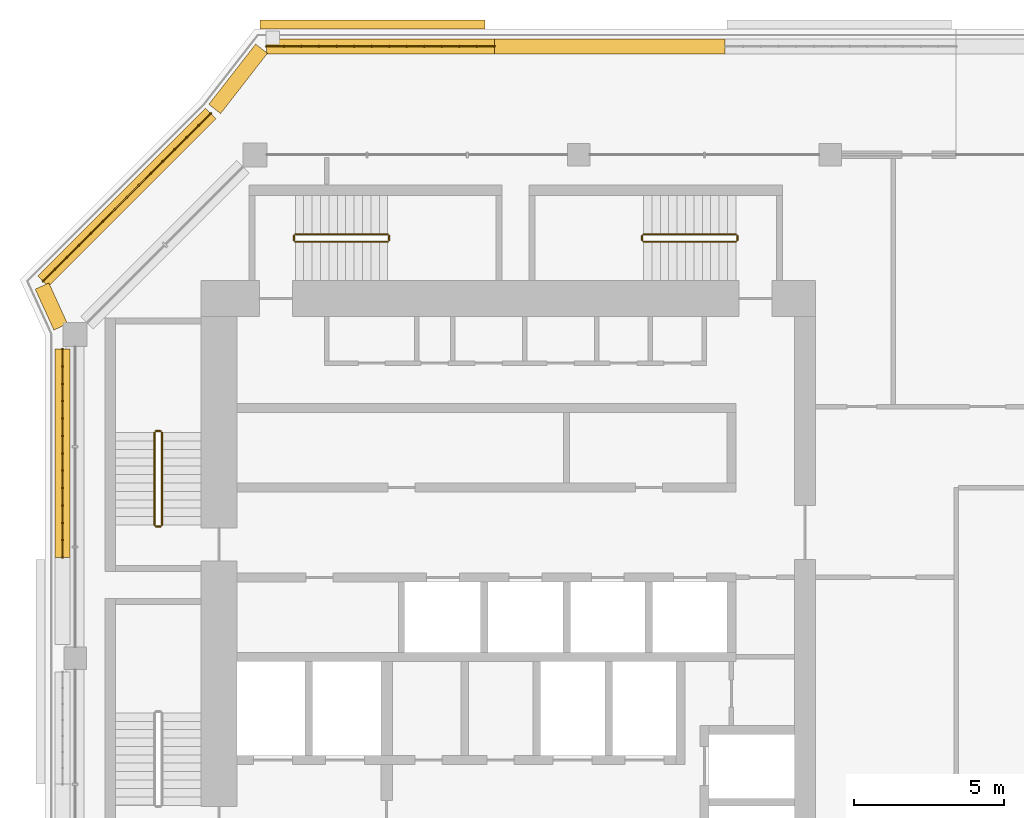
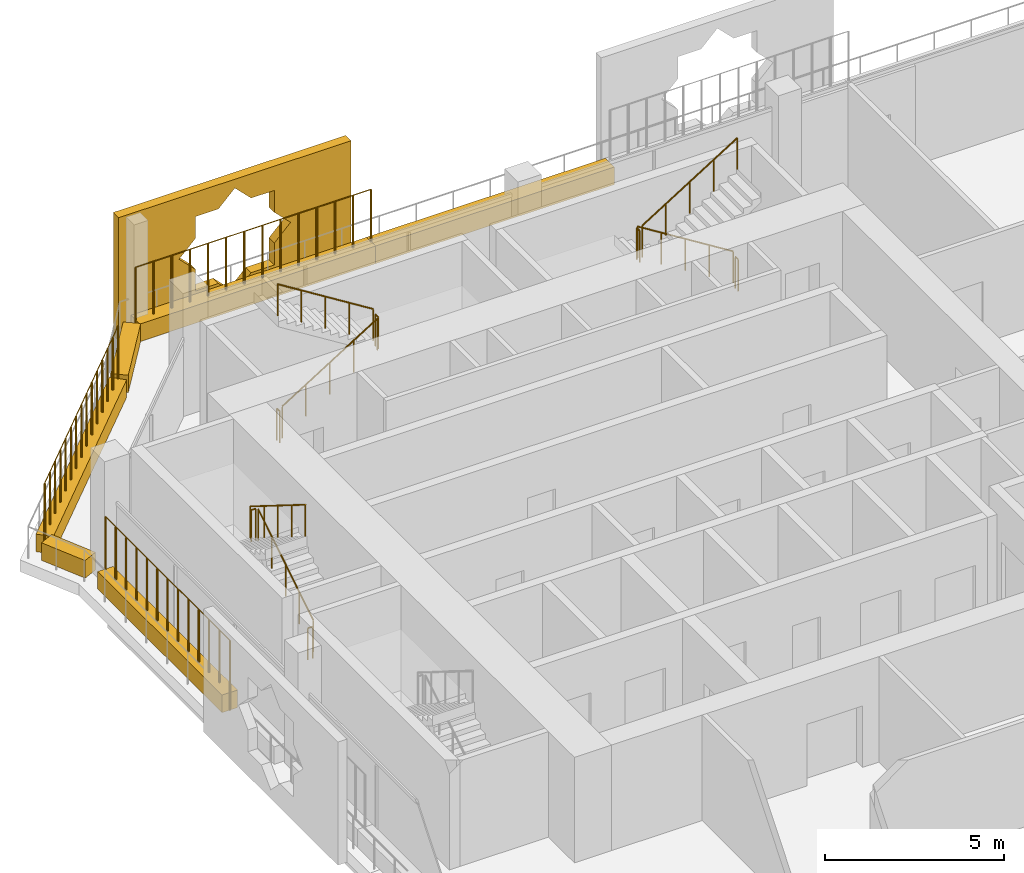
# One storey, part 19 of 21: 15 railings, 7 coverings.
"""IFC4 building model written with IfcOpenShell, lengths in metres."""

from ifc_helpers import new_model, si_unit, direction, frame, origin, origin_2d, place, context, subcontext, project, spatial, polyline, rectangle, circle, outline, extrude, material, material_profile, profile_set, type_object, element, save


model = new_model("IFC4")

# Units and contexts
model_context = context("Model", 3, precision=1e-05, world=origin(), true_north=direction((0.0, 1.0)))
body_context = subcontext(model_context, "Body", "Model", "MODEL_VIEW")
ifc_project = project(units=[si_unit("LENGTHUNIT", "METRE"), si_unit("AREAUNIT", "SQUARE_METRE"), si_unit("VOLUMEUNIT", "CUBIC_METRE"), si_unit("PLANEANGLEUNIT", "RADIAN"), si_unit("MASSUNIT", "GRAM", prefix="KILO")], contexts=[model_context])

# Site, building, storey
site_placement = place(None, origin())
site = spatial("IfcSite", under=ifc_project, at=site_placement, CompositionType="ELEMENT")
building_placement = place(site_placement, origin())
building = spatial("IfcBuilding", under=site, at=building_placement, Name="Kawkab Arch Medical Tower", CompositionType="ELEMENT")
storey_placement = place(building_placement, frame((0.0, 0.0, 323.800048828125)))
storey = spatial("IfcBuildingStorey", under=building, at=storey_placement, Name="L75", CompositionType="ELEMENT", Elevation=323.800048828125)

# Coverings
ifc_material_1 = material(Name="Bronze anodised aluminium mashrabiya panel, eight-point star pattern", Category="aluminium")
ifc_material_profile_1 = material_profile(ifc_material_1, outline(polyline([(-3.75, -2.10009765625), (3.75, -2.10009765625), (3.75, 2.10009765625), (-3.75, 2.10009765625), (-3.75, -2.10009765625)]), holes=[polyline([(1.800048828125, 0.0), (1.272705078125, 0.527099609375), (1.272705078125, 1.272705078125), (0.527099609375, 1.272705078125), (0.0, 1.800048828125), (-0.527099609375, 1.272705078125), (-1.272705078125, 1.272705078125), (-1.272705078125, 0.527099609375), (-1.800048828125, 0.0), (-1.272705078125, -0.527099609375), (-1.272705078125, -1.272705078125), (-0.527099609375, -1.272705078125), (0.0, -1.800048828125), (0.527099609375, -1.272705078125), (1.272705078125, -1.272705078125), (1.272705078125, -0.527099609375), (1.800048828125, 0.0)])]), Name="Mashrabiya panel 7500x4200")
ifc_profile_set_1 = profile_set([ifc_material_profile_1], Name="Bronze anodised aluminium mashrabiya panel, eight-point star pattern")
covering_type_1 = type_object("IfcCoveringType", Name="Mashrabiya panel 7500 x 4200", PredefinedType="USERDEFINED", material=ifc_profile_set_1)
covering_1_placement = place(storey_placement, frame((9.924072265625, 4.199951171875, 1.699951171875), z_axis=(0.0, 1.0, 0.0), x_axis=(-1.0, 0.0, 0.0)))
element("IfcCovering", 1, at=covering_1_placement, inside=storey, type_object=covering_type_1, Name="Mashrabiya panel L75.LOG-01-01.3", ObjectType="SCREEN", PredefinedType="USERDEFINED", context=body_context, shape_type="SweptSolid", body=[
    extrude(outline(polyline([(-3.75, -2.10009765625), (3.75, -2.10009765625), (3.75, 2.10009765625), (-3.75, 2.10009765625), (-3.75, -2.10009765625)]), holes=[polyline([(1.800048828125, 0.0), (1.272705078125, 0.527099609375), (1.272705078125, 1.272705078125), (0.527099609375, 1.272705078125), (0.0, 1.800048828125), (-0.527099609375, 1.272705078125), (-1.272705078125, 1.272705078125), (-1.272705078125, 0.527099609375), (-1.800048828125, 0.0), (-1.272705078125, -0.527099609375), (-1.272705078125, -1.272705078125), (-0.527099609375, -1.272705078125), (0.0, -1.800048828125), (0.527099609375, -1.272705078125), (1.272705078125, -1.272705078125), (1.272705078125, -0.527099609375), (1.800048828125, 0.0)])]), origin(), (0.0, 0.0, 1.0), 0.300048828125),
])
ifc_material_2 = material(Name="Planting soil in a precast trough", Category="concrete")
ifc_material_profile_2 = material_profile(ifc_material_2, rectangle(XDim=0.5, YDim=0.60009765625, at=origin_2d()), Name="Trough 500x600")
ifc_profile_set_2 = profile_set([ifc_material_profile_2], Name="Planting soil in a precast trough")
covering_type_2 = type_object("IfcCoveringType", Name="Planter trough 500 x 600", PredefinedType="USERDEFINED", material=ifc_profile_set_2)
covering_2_placement = place(storey_placement, frame((-0.419921875, -13.43701171875, 0.300048828125), z_axis=(0.0, 1.0, 0.0), x_axis=(-1.0, 0.0, 0.0)))
element("IfcCovering", 2, at=covering_2_placement, inside=storey, type_object=covering_type_2, Name="Planter L75.LOG-01-01.9", ObjectType="PLANTER", PredefinedType="USERDEFINED", context=body_context, shape_type="SweptSolid", body=[
    extrude(rectangle(XDim=0.5, YDim=0.60009765625, at=origin_2d()), origin(), (0.0, 0.0, 1.0), 6.95703125),
])
covering_3_placement = place(storey_placement, frame((-0.47998046875, -5.741943359375, 0.300048828125), z_axis=(-0.415189748133, 0.909734836667, 0.0), x_axis=(-0.909734836667, -0.415189748133, 0.0)))
element("IfcCovering", 3, at=covering_3_placement, inside=storey, type_object=covering_type_2, Name="Planter L75.LOG-01-01.10", ObjectType="PLANTER", PredefinedType="USERDEFINED", context=body_context, shape_type="SweptSolid", body=[
    extrude(rectangle(XDim=0.5, YDim=0.60009765625, at=origin_2d()), origin(), (0.0, 0.0, 1.0), 1.498291015625),
])
covering_4_placement = place(storey_placement, frame((-1.072998046875, -4.217041015625, 0.300048828125), z_axis=(0.707106781187, 0.707106781187, 0.0), x_axis=(-0.707106781187, 0.707106781187, 0.0)))
element("IfcCovering", 4, at=covering_4_placement, inside=storey, type_object=covering_type_2, Name="Planter L75.LOG-01-01.11", ObjectType="PLANTER", PredefinedType="USERDEFINED", context=body_context, shape_type="SweptSolid", body=[
    extrude(rectangle(XDim=0.5, YDim=0.60009765625, at=origin_2d()), origin(), (0.0, 0.0, 1.0), 7.919677734375),
])
covering_5_placement = place(storey_placement, frame((4.658935546875, 1.531982421875, 0.300048828125), z_axis=(0.61404021143, 0.789274742246, 0.0), x_axis=(-0.789274742246, 0.61404021143, 0.0)))
element("IfcCovering", 5, at=covering_5_placement, inside=storey, type_object=covering_type_2, Name="Planter L75.LOG-01-01.12", ObjectType="PLANTER", PredefinedType="USERDEFINED", context=body_context, shape_type="SweptSolid", body=[
    extrude(rectangle(XDim=0.5, YDim=0.60009765625, at=origin_2d()), origin(), (0.0, 0.0, 1.0), 2.54541015625),
])
covering_6_placement = place(storey_placement, frame((6.384033203125, 3.6201171875, 0.300048828125), z_axis=(1.0, 0.0, 0.0), x_axis=(0.0, 1.0, 0.0)))
element("IfcCovering", 6, at=covering_6_placement, inside=storey, type_object=covering_type_2, Name="Planter L75.LOG-01-01.13", ObjectType="PLANTER", PredefinedType="USERDEFINED", context=body_context, shape_type="SweptSolid", body=[
    extrude(rectangle(XDim=0.5, YDim=0.60009765625, at=origin_2d()), origin(), (0.0, 0.0, 1.0), 7.60498046875),
])
covering_7_placement = place(storey_placement, frame((13.989013671875, 3.6201171875, 0.300048828125), z_axis=(1.0, 0.0, 0.0), x_axis=(0.0, 1.0, 0.0)))
element("IfcCovering", 7, at=covering_7_placement, inside=storey, type_object=covering_type_2, Name="Planter L75.LOG-01-01.14", ObjectType="PLANTER", PredefinedType="USERDEFINED", context=body_context, shape_type="SweptSolid", body=[
    extrude(rectangle(XDim=0.5, YDim=0.60009765625, at=origin_2d()), origin(), (0.0, 0.0, 1.0), 7.7060546875),
])

# Railings
ifc_material_3 = material(Name="Bronze anodised aluminium trellis for climbing plants", Category="aluminium")
railing_type_1 = type_object("IfcRailingType", Name="Planting trellis 2400", PredefinedType="USERDEFINED", material=ifc_material_3)
railing_1_placement = place(storey_placement, frame((-0.419921875, -13.43701171875, 0.0)))
element("IfcRailing", 8, at=railing_1_placement, inside=storey, type_object=railing_type_1, Name="Planting trellis L75.LOG-01-01.9", ObjectType="TRELLIS", PredefinedType="USERDEFINED", context=body_context, shape_type="SweptSolid", body=[
    extrude(circle(Radius=0.01513671875, at=origin_2d()), frame((0.0, 0.0, 2.384765625), z_axis=(0.0, 1.0, 0.0), x_axis=(-1.0, 0.0, 0.0)), (0.0, 0.0, 1.0), 6.95703125),
    extrude(circle(Radius=0.030029296875, at=origin_2d()), origin(), (0.0, 0.0, 1.0), 2.369873046875),
    extrude(circle(Radius=0.030029296875, at=origin_2d()), frame((0.0, 0.579833984375, 0.0)), (0.0, 0.0, 1.0), 2.369873046875),
    extrude(circle(Radius=0.030029296875, at=origin_2d()), frame((0.0, 1.159423828125, 0.0)), (0.0, 0.0, 1.0), 2.369873046875),
    extrude(circle(Radius=0.030029296875, at=origin_2d()), frame((0.0, 1.7392578125, 0.0)), (0.0, 0.0, 1.0), 2.369873046875),
    extrude(circle(Radius=0.030029296875, at=origin_2d()), frame((0.0, 2.319091796875, 0.0)), (0.0, 0.0, 1.0), 2.369873046875),
    extrude(circle(Radius=0.030029296875, at=origin_2d()), frame((0.0, 2.898681640625, 0.0)), (0.0, 0.0, 1.0), 2.369873046875),
    extrude(circle(Radius=0.030029296875, at=origin_2d()), frame((0.0, 3.478515625, 0.0)), (0.0, 0.0, 1.0), 2.369873046875),
    extrude(circle(Radius=0.030029296875, at=origin_2d()), frame((0.0, 4.058349609375, 0.0)), (0.0, 0.0, 1.0), 2.369873046875),
    extrude(circle(Radius=0.030029296875, at=origin_2d()), frame((0.0, 4.637939453125, 0.0)), (0.0, 0.0, 1.0), 2.369873046875),
    extrude(circle(Radius=0.030029296875, at=origin_2d()), frame((0.0, 5.2177734375, 0.0)), (0.0, 0.0, 1.0), 2.369873046875),
    extrude(circle(Radius=0.030029296875, at=origin_2d()), frame((0.0, 5.797607421875, 0.0)), (0.0, 0.0, 1.0), 2.369873046875),
    extrude(circle(Radius=0.030029296875, at=origin_2d()), frame((0.0, 6.377197265625, 0.0)), (0.0, 0.0, 1.0), 2.369873046875),
    extrude(circle(Radius=0.030029296875, at=origin_2d()), frame((0.0, 6.95703125, 0.0)), (0.0, 0.0, 1.0), 2.369873046875),
])
railing_2_placement = place(storey_placement, frame((-1.072998046875, -4.217041015625, 0.0)))
element("IfcRailing", 9, at=railing_2_placement, inside=storey, type_object=railing_type_1, Name="Planting trellis L75.LOG-01-01.11", ObjectType="TRELLIS", PredefinedType="USERDEFINED", context=body_context, shape_type="SweptSolid", body=[
    extrude(circle(Radius=0.01513671875, at=origin_2d()), frame((0.0, 0.0, 2.384765625), z_axis=(0.707106781187, 0.707106781187, 0.0), x_axis=(-0.707106781187, 0.707106781187, 0.0)), (0.0, 0.0, 1.0), 7.919677734375),
    extrude(circle(Radius=0.030029296875, at=origin_2d()), origin(), (0.0, 0.0, 1.0), 2.369873046875),
    extrude(circle(Radius=0.030029296875, at=origin_2d()), frame((0.39990234375, 0.39990234375, 0.0)), (0.0, 0.0, 1.0), 2.369873046875),
    extrude(circle(Radius=0.030029296875, at=origin_2d()), frame((0.800048828125, 0.800048828125, 0.0)), (0.0, 0.0, 1.0), 2.369873046875),
    extrude(circle(Radius=0.030029296875, at=origin_2d()), frame((1.199951171875, 1.199951171875, 0.0)), (0.0, 0.0, 1.0), 2.369873046875),
    extrude(circle(Radius=0.030029296875, at=origin_2d()), frame((1.60009765625, 1.60009765625, 0.0)), (0.0, 0.0, 1.0), 2.369873046875),
    extrude(circle(Radius=0.030029296875, at=origin_2d()), frame((2.0, 2.0, 0.0)), (0.0, 0.0, 1.0), 2.369873046875),
    extrude(circle(Radius=0.030029296875, at=origin_2d()), frame((2.400146484375, 2.400146484375, 0.0)), (0.0, 0.0, 1.0), 2.369873046875),
    extrude(circle(Radius=0.030029296875, at=origin_2d()), frame((2.800048828125, 2.800048828125, 0.0)), (0.0, 0.0, 1.0), 2.369873046875),
    extrude(circle(Radius=0.030029296875, at=origin_2d()), frame((3.199951171875, 3.199951171875, 0.0)), (0.0, 0.0, 1.0), 2.369873046875),
    extrude(circle(Radius=0.030029296875, at=origin_2d()), frame((3.60009765625, 3.60009765625, 0.0)), (0.0, 0.0, 1.0), 2.369873046875),
    extrude(circle(Radius=0.030029296875, at=origin_2d()), frame((4.0, 4.0, 0.0)), (0.0, 0.0, 1.0), 2.369873046875),
    extrude(circle(Radius=0.030029296875, at=origin_2d()), frame((4.400146484375, 4.400146484375, 0.0)), (0.0, 0.0, 1.0), 2.369873046875),
    extrude(circle(Radius=0.030029296875, at=origin_2d()), frame((4.800048828125, 4.800048828125, 0.0)), (0.0, 0.0, 1.0), 2.369873046875),
    extrude(circle(Radius=0.030029296875, at=origin_2d()), frame((5.2001953125, 5.2001953125, 0.0)), (0.0, 0.0, 1.0), 2.369873046875),
    extrude(circle(Radius=0.030029296875, at=origin_2d()), frame((5.60009765625, 5.60009765625, 0.0)), (0.0, 0.0, 1.0), 2.369873046875),
])
railing_3_placement = place(storey_placement, frame((6.384033203125, 3.6201171875, 0.0)))
element("IfcRailing", 10, at=railing_3_placement, inside=storey, type_object=railing_type_1, Name="Planting trellis L75.LOG-01-01.13", ObjectType="TRELLIS", PredefinedType="USERDEFINED", context=body_context, shape_type="SweptSolid", body=[
    extrude(circle(Radius=0.01513671875, at=origin_2d()), frame((0.0, 0.0, 2.384765625), z_axis=(1.0, 0.0, 0.0), x_axis=(0.0, 1.0, 0.0)), (0.0, 0.0, 1.0), 7.60498046875),
    extrude(circle(Radius=0.030029296875, at=origin_2d()), origin(), (0.0, 0.0, 1.0), 2.369873046875),
    extrude(circle(Radius=0.030029296875, at=origin_2d()), frame((0.5849609375, 0.0, 0.0)), (0.0, 0.0, 1.0), 2.369873046875),
    extrude(circle(Radius=0.030029296875, at=origin_2d()), frame((1.169921875, 0.0, 0.0)), (0.0, 0.0, 1.0), 2.369873046875),
    extrude(circle(Radius=0.030029296875, at=origin_2d()), frame((1.7548828125, 0.0, 0.0)), (0.0, 0.0, 1.0), 2.369873046875),
    extrude(circle(Radius=0.030029296875, at=origin_2d()), frame((2.340087890625, 0.0, 0.0)), (0.0, 0.0, 1.0), 2.369873046875),
    extrude(circle(Radius=0.030029296875, at=origin_2d()), frame((2.925048828125, 0.0, 0.0)), (0.0, 0.0, 1.0), 2.369873046875),
    extrude(circle(Radius=0.030029296875, at=origin_2d()), frame((3.510009765625, 0.0, 0.0)), (0.0, 0.0, 1.0), 2.369873046875),
    extrude(circle(Radius=0.030029296875, at=origin_2d()), frame((4.094970703125, 0.0, 0.0)), (0.0, 0.0, 1.0), 2.369873046875),
    extrude(circle(Radius=0.030029296875, at=origin_2d()), frame((4.679931640625, 0.0, 0.0)), (0.0, 0.0, 1.0), 2.369873046875),
    extrude(circle(Radius=0.030029296875, at=origin_2d()), frame((5.264892578125, 0.0, 0.0)), (0.0, 0.0, 1.0), 2.369873046875),
    extrude(circle(Radius=0.030029296875, at=origin_2d()), frame((5.85009765625, 0.0, 0.0)), (0.0, 0.0, 1.0), 2.369873046875),
    extrude(circle(Radius=0.030029296875, at=origin_2d()), frame((6.43505859375, 0.0, 0.0)), (0.0, 0.0, 1.0), 2.369873046875),
    extrude(circle(Radius=0.030029296875, at=origin_2d()), frame((7.02001953125, 0.0, 0.0)), (0.0, 0.0, 1.0), 2.369873046875),
    extrude(circle(Radius=0.030029296875, at=origin_2d()), frame((7.60498046875, 0.0, 0.0)), (0.0, 0.0, 1.0), 2.369873046875),
])
ifc_material_4 = material(Name="Stainless steel", Category="steel")
railing_type_2 = type_object("IfcRailingType", Name="Stair guard 1100", PredefinedType="GUARDRAIL", material=ifc_material_4)
railing_4_placement = place(storey_placement, frame((2.89990234375, -12.35009765625, 0.175048828125)))
element("IfcRailing", 11, at=railing_4_placement, inside=storey, type_object=railing_type_2, Name="L75 ST1 stair guard 1", PredefinedType="GUARDRAIL", context=body_context, shape_type="SweptSolid", body=[
    extrude(circle(Radius=0.02392578125, at=origin_2d()), frame((0.0, 0.0, 1.076171875), z_axis=(0.0, 0.848028513186, 0.529950602248), x_axis=(-1.0, 0.0, 0.0)), (0.0, 0.0, 1.0), 3.632080078125),
    extrude(circle(Radius=0.02099609375, at=origin_2d()), origin(), (0.0, 0.0, 1.0), 1.052001953125),
    extrude(circle(Radius=0.02099609375, at=origin_2d()), frame((0.0, 0.77001953125, 0.481201171875)), (0.0, 0.0, 1.0), 1.052001953125),
    extrude(circle(Radius=0.02099609375, at=origin_2d()), frame((0.0, 1.5400390625, 0.96240234375)), (0.0, 0.0, 1.0), 1.052001953125),
    extrude(circle(Radius=0.02099609375, at=origin_2d()), frame((0.0, 2.31005859375, 1.443603515625)), (0.0, 0.0, 1.0), 1.052001953125),
    extrude(circle(Radius=0.02099609375, at=origin_2d()), frame((0.0, 3.080078125, 1.9248046875)), (0.0, 0.0, 1.0), 1.052001953125),
])
railing_5_placement = place(storey_placement, frame((2.85009765625, -9.219970703125, 2.099853515625)))
element("IfcRailing", 12, at=railing_5_placement, inside=storey, type_object=railing_type_2, Name="L75 ST1 stair guard 2", PredefinedType="GUARDRAIL", context=body_context, shape_type="SweptSolid", body=[
    extrude(circle(Radius=0.02392578125, at=origin_2d()), frame((0.0, 0.0, 1.076171875), z_axis=(-1.0, 0.0, 0.0), x_axis=(0.0, -1.0, 0.0)), (0.0, 0.0, 1.0), 0.150146484375),
    extrude(circle(Radius=0.02099609375, at=origin_2d()), origin(), (0.0, 0.0, 1.0), 1.052001953125),
    extrude(circle(Radius=0.02099609375, at=origin_2d()), frame((-0.150146484375, 0.0, 0.0)), (0.0, 0.0, 1.0), 1.052001953125),
])
railing_6_placement = place(storey_placement, frame((2.64990234375, -9.27001953125, 2.27490234375)))
element("IfcRailing", 13, at=railing_6_placement, inside=storey, type_object=railing_type_2, Name="L75 ST1 stair guard 3", PredefinedType="GUARDRAIL", context=body_context, shape_type="SweptSolid", body=[
    extrude(circle(Radius=0.02392578125, at=origin_2d()), frame((0.0, 0.0, 1.076171875), z_axis=(0.0, -0.847998304005, 0.529998940003), x_axis=(1.0, 0.0, 0.0)), (0.0, 0.0, 1.0), 3.632080078125),
    extrude(circle(Radius=0.02099609375, at=origin_2d()), origin(), (0.0, 0.0, 1.0), 1.052001953125),
    extrude(circle(Radius=0.02099609375, at=origin_2d()), frame((0.0, -0.77001953125, 0.481201171875)), (0.0, 0.0, 1.0), 1.052001953125),
    extrude(circle(Radius=0.02099609375, at=origin_2d()), frame((0.0, -1.5400390625, 0.96240234375)), (0.0, 0.0, 1.0), 1.052001953125),
    extrude(circle(Radius=0.02099609375, at=origin_2d()), frame((0.0, -2.31005859375, 1.44384765625)), (0.0, 0.0, 1.0), 1.052001953125),
    extrude(circle(Radius=0.02099609375, at=origin_2d()), frame((0.0, -3.080078125, 1.925048828125)), (0.0, 0.0, 1.0), 1.052001953125),
])
railing_7_placement = place(storey_placement, frame((2.85009765625, -12.39990234375, 0.0)))
element("IfcRailing", 14, at=railing_7_placement, inside=storey, type_object=railing_type_2, Name="L75 ST1 stair guard 4", PredefinedType="GUARDRAIL", context=body_context, shape_type="SweptSolid", body=[
    extrude(circle(Radius=0.02392578125, at=origin_2d()), frame((0.0, 0.0, 1.076171875), z_axis=(-1.0, 0.0, 0.0), x_axis=(0.0, -1.0, 0.0)), (0.0, 0.0, 1.0), 0.150146484375),
    extrude(circle(Radius=0.02099609375, at=origin_2d()), origin(), (0.0, 0.0, 1.0), 1.052001953125),
    extrude(circle(Radius=0.02099609375, at=origin_2d()), frame((-0.150146484375, 0.0, 0.0)), (0.0, 0.0, 1.0), 1.052001953125),
])
railing_8_placement = place(storey_placement, frame((7.35009765625, -2.89990234375, 0.175048828125)))
element("IfcRailing", 15, at=railing_8_placement, inside=storey, type_object=railing_type_2, Name="L75 ST3 stair guard 1", PredefinedType="GUARDRAIL", context=body_context, shape_type="SweptSolid", body=[
    extrude(circle(Radius=0.02392578125, at=origin_2d()), frame((0.0, 0.0, 1.076171875), z_axis=(0.848009633417, 0.0, 0.529980812513), x_axis=(0.0, 1.0, 0.0)), (0.0, 0.0, 1.0), 3.6318359375),
    extrude(circle(Radius=0.02099609375, at=origin_2d()), origin(), (0.0, 0.0, 1.0), 1.052001953125),
    extrude(circle(Radius=0.02099609375, at=origin_2d()), frame((0.77001953125, 0.0, 0.481201171875)), (0.0, 0.0, 1.0), 1.052001953125),
    extrude(circle(Radius=0.02099609375, at=origin_2d()), frame((1.5400390625, 0.0, 0.96240234375)), (0.0, 0.0, 1.0), 1.052001953125),
    extrude(circle(Radius=0.02099609375, at=origin_2d()), frame((2.309814453125, 0.0, 1.443603515625)), (0.0, 0.0, 1.0), 1.052001953125),
    extrude(circle(Radius=0.02099609375, at=origin_2d()), frame((3.079833984375, 0.0, 1.9248046875)), (0.0, 0.0, 1.0), 1.052001953125),
])
railing_9_placement = place(storey_placement, frame((10.47998046875, -2.85009765625, 2.099853515625)))
element("IfcRailing", 16, at=railing_9_placement, inside=storey, type_object=railing_type_2, Name="L75 ST3 stair guard 2", PredefinedType="GUARDRAIL", context=body_context, shape_type="SweptSolid", body=[
    extrude(circle(Radius=0.02392578125, at=origin_2d()), frame((0.0, 0.0, 1.076171875), z_axis=(0.0, 1.0, 0.0), x_axis=(-1.0, 0.0, 0.0)), (0.0, 0.0, 1.0), 0.150146484375),
    extrude(circle(Radius=0.02099609375, at=origin_2d()), origin(), (0.0, 0.0, 1.0), 1.052001953125),
    extrude(circle(Radius=0.02099609375, at=origin_2d()), frame((0.0, 0.150146484375, 0.0)), (0.0, 0.0, 1.0), 1.052001953125),
])
railing_10_placement = place(storey_placement, frame((10.429931640625, -2.64990234375, 2.27490234375)))
element("IfcRailing", 17, at=railing_10_placement, inside=storey, type_object=railing_type_2, Name="L75 ST3 stair guard 3", PredefinedType="GUARDRAIL", context=body_context, shape_type="SweptSolid", body=[
    extrude(circle(Radius=0.02392578125, at=origin_2d()), frame((0.0, 0.0, 1.076171875), z_axis=(-0.847979421464, 0.0, 0.530029150871), x_axis=(0.0, -1.0, 0.0)), (0.0, 0.0, 1.0), 3.632080078125),
    extrude(circle(Radius=0.02099609375, at=origin_2d()), origin(), (0.0, 0.0, 1.0), 1.052001953125),
    extrude(circle(Radius=0.02099609375, at=origin_2d()), frame((-0.77001953125, 0.0, 0.481201171875)), (0.0, 0.0, 1.0), 1.052001953125),
    extrude(circle(Radius=0.02099609375, at=origin_2d()), frame((-1.5400390625, 0.0, 0.96240234375)), (0.0, 0.0, 1.0), 1.052001953125),
    extrude(circle(Radius=0.02099609375, at=origin_2d()), frame((-2.309814453125, 0.0, 1.44384765625)), (0.0, 0.0, 1.0), 1.052001953125),
    extrude(circle(Radius=0.02099609375, at=origin_2d()), frame((-3.079833984375, 0.0, 1.925048828125)), (0.0, 0.0, 1.0), 1.052001953125),
])
railing_11_placement = place(storey_placement, frame((7.300048828125, -2.85009765625, 0.0)))
element("IfcRailing", 18, at=railing_11_placement, inside=storey, type_object=railing_type_2, Name="L75 ST3 stair guard 4", PredefinedType="GUARDRAIL", context=body_context, shape_type="SweptSolid", body=[
    extrude(circle(Radius=0.02392578125, at=origin_2d()), frame((0.0, 0.0, 1.076171875), z_axis=(0.0, 1.0, 0.0), x_axis=(-1.0, 0.0, 0.0)), (0.0, 0.0, 1.0), 0.150146484375),
    extrude(circle(Radius=0.02099609375, at=origin_2d()), origin(), (0.0, 0.0, 1.0), 1.052001953125),
    extrude(circle(Radius=0.02099609375, at=origin_2d()), frame((0.0, 0.150146484375, 0.0)), (0.0, 0.0, 1.0), 1.052001953125),
])
railing_12_placement = place(storey_placement, frame((22.050048828125, -2.64990234375, 0.175048828125)))
element("IfcRailing", 19, at=railing_12_placement, inside=storey, type_object=railing_type_2, Name="L75 ST4 stair guard 1", PredefinedType="GUARDRAIL", context=body_context, shape_type="SweptSolid", body=[
    extrude(circle(Radius=0.02392578125, at=origin_2d()), frame((0.0, 0.0, 1.076171875), z_axis=(-0.848028513186, 0.0, 0.529950602248), x_axis=(0.0, -1.0, 0.0)), (0.0, 0.0, 1.0), 3.632080078125),
    extrude(circle(Radius=0.02099609375, at=origin_2d()), origin(), (0.0, 0.0, 1.0), 1.052001953125),
    extrude(circle(Radius=0.02099609375, at=origin_2d()), frame((-0.77001953125, 0.0, 0.481201171875)), (0.0, 0.0, 1.0), 1.052001953125),
    extrude(circle(Radius=0.02099609375, at=origin_2d()), frame((-1.5400390625, 0.0, 0.96240234375)), (0.0, 0.0, 1.0), 1.052001953125),
    extrude(circle(Radius=0.02099609375, at=origin_2d()), frame((-2.31005859375, 0.0, 1.443603515625)), (0.0, 0.0, 1.0), 1.052001953125),
    extrude(circle(Radius=0.02099609375, at=origin_2d()), frame((-3.080078125, 0.0, 1.9248046875)), (0.0, 0.0, 1.0), 1.052001953125),
])
railing_13_placement = place(storey_placement, frame((18.919921875, -2.699951171875, 2.099853515625)))
element("IfcRailing", 20, at=railing_13_placement, inside=storey, type_object=railing_type_2, Name="L75 ST4 stair guard 2", PredefinedType="GUARDRAIL", context=body_context, shape_type="SweptSolid", body=[
    extrude(circle(Radius=0.02392578125, at=origin_2d()), frame((0.0, 0.0, 1.076171875), z_axis=(0.0, -1.0, 0.0), x_axis=(1.0, 0.0, 0.0)), (0.0, 0.0, 1.0), 0.150146484375),
    extrude(circle(Radius=0.02099609375, at=origin_2d()), origin(), (0.0, 0.0, 1.0), 1.052001953125),
    extrude(circle(Radius=0.02099609375, at=origin_2d()), frame((0.0, -0.150146484375, 0.0)), (0.0, 0.0, 1.0), 1.052001953125),
])
railing_14_placement = place(storey_placement, frame((18.969970703125, -2.89990234375, 2.27490234375)))
element("IfcRailing", 21, at=railing_14_placement, inside=storey, type_object=railing_type_2, Name="L75 ST4 stair guard 3", PredefinedType="GUARDRAIL", context=body_context, shape_type="SweptSolid", body=[
    extrude(circle(Radius=0.02392578125, at=origin_2d()), frame((0.0, 0.0, 1.076171875), z_axis=(0.847998304005, 0.0, 0.529998940003), x_axis=(0.0, 1.0, 0.0)), (0.0, 0.0, 1.0), 3.632080078125),
    extrude(circle(Radius=0.02099609375, at=origin_2d()), origin(), (0.0, 0.0, 1.0), 1.052001953125),
    extrude(circle(Radius=0.02099609375, at=origin_2d()), frame((0.77001953125, 0.0, 0.481201171875)), (0.0, 0.0, 1.0), 1.052001953125),
    extrude(circle(Radius=0.02099609375, at=origin_2d()), frame((1.5400390625, 0.0, 0.96240234375)), (0.0, 0.0, 1.0), 1.052001953125),
    extrude(circle(Radius=0.02099609375, at=origin_2d()), frame((2.31005859375, 0.0, 1.44384765625)), (0.0, 0.0, 1.0), 1.052001953125),
    extrude(circle(Radius=0.02099609375, at=origin_2d()), frame((3.080078125, 0.0, 1.925048828125)), (0.0, 0.0, 1.0), 1.052001953125),
])
railing_15_placement = place(storey_placement, frame((22.10009765625, -2.699951171875, 0.0)))
element("IfcRailing", 22, at=railing_15_placement, inside=storey, type_object=railing_type_2, Name="L75 ST4 stair guard 4", PredefinedType="GUARDRAIL", context=body_context, shape_type="SweptSolid", body=[
    extrude(circle(Radius=0.02392578125, at=origin_2d()), frame((0.0, 0.0, 1.076171875), z_axis=(0.0, -1.0, 0.0), x_axis=(1.0, 0.0, 0.0)), (0.0, 0.0, 1.0), 0.150146484375),
    extrude(circle(Radius=0.02099609375, at=origin_2d()), origin(), (0.0, 0.0, 1.0), 1.052001953125),
    extrude(circle(Radius=0.02099609375, at=origin_2d()), frame((0.0, -0.150146484375, 0.0)), (0.0, 0.0, 1.0), 1.052001953125),
])

save(model, "model.ifc")
